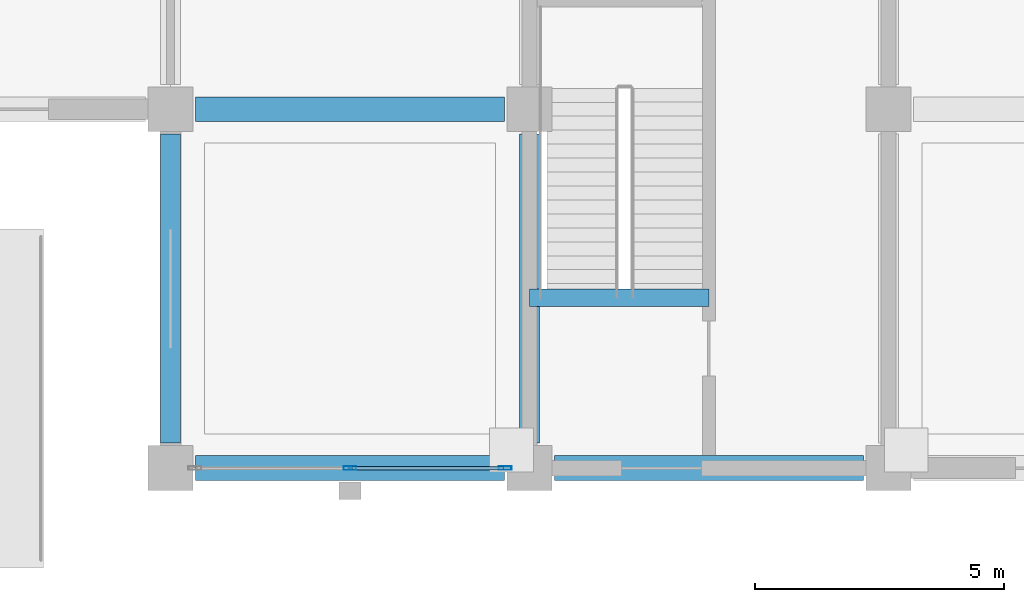
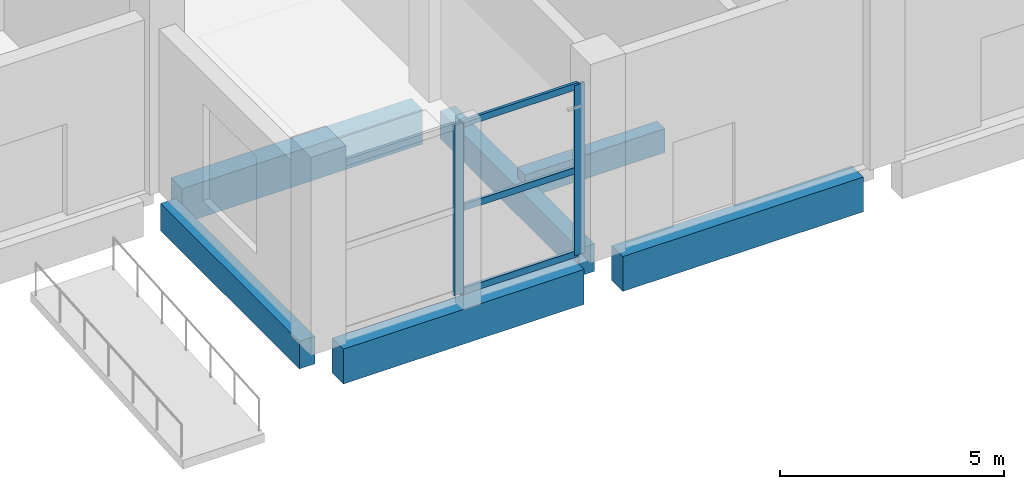
# One storey, part 13 of 70: 6 beams, 5 members, 1 element without a shape of its own.
"""IFC4 building model written with IfcOpenShell, lengths in metres."""

from ifc_helpers import new_model, si_unit, direction, frame, origin, origin_2d, place, context, subcontext, project, spatial, rectangle, hollow_rectangle, extrude, material, material_profile, profile_set, type_object, element, aggregate, save


model = new_model("IFC4")

# Units and contexts
model_context = context("Model", 3, precision=1e-05, world=origin(), true_north=direction((0.0, 1.0)))
body_context = subcontext(model_context, "Body", "Model", "MODEL_VIEW")
ifc_project = project(units=[si_unit("LENGTHUNIT", "METRE"), si_unit("AREAUNIT", "SQUARE_METRE"), si_unit("VOLUMEUNIT", "CUBIC_METRE"), si_unit("PLANEANGLEUNIT", "RADIAN"), si_unit("MASSUNIT", "GRAM", prefix="KILO")], contexts=[model_context])

# Site, building, storey
site_placement = place(None, origin())
site = spatial("IfcSite", under=ifc_project, at=site_placement, CompositionType="ELEMENT")
building_placement = place(site_placement, origin())
building = spatial("IfcBuilding", under=site, at=building_placement, Name="Vesperath Aquatics Centre", CompositionType="ELEMENT")
storey_placement = place(building_placement, origin())
storey = spatial("IfcBuildingStorey", under=building, at=storey_placement, Name="L00", CompositionType="ELEMENT", Elevation=0.0)

# Beams
ifc_material_1 = material(Name="Concrete C40", Category="concrete")
ifc_material_profile_1 = material_profile(ifc_material_1, rectangle(XDim=0.5, YDim=0.949951171875, at=origin_2d()), Name="RC 500x950")
ifc_profile_set_1 = profile_set([ifc_material_profile_1], Name="Concrete C40")
beam_type_1 = type_object("IfcBeamType", Name="BM-G02", PredefinedType="BEAM", material=ifc_profile_set_1)
for number, where, z_axis, x_axis, name in (
    (1, (115.699951171875, 0.0, -0.7548828125), (1.0, 0.0, 0.0), (0.0, 1.0, 0.0), "Floor Girder B02 L00 A 17-18"),
    (2, (115.699951171875, 7.199951171875, -0.7548828125), (1.0, 0.0, 0.0), (0.0, 1.0, 0.0), "Floor Girder B02 L00 B 17-18"),
):
    element("IfcBeam", number, at=place(storey_placement, frame(where, z_axis=z_axis, x_axis=x_axis)), inside=storey, type_object=beam_type_1, Name=name, PredefinedType="BEAM", context=body_context, shape_type="SweptSolid", body=[
        extrude(rectangle(XDim=0.5, YDim=0.949951171875, at=origin_2d()), origin(), (0.0, 0.0, 1.0), 6.199951171875),
    ])
beam_1_placement = place(storey_placement, frame((122.89990234375, 0.0, -0.7548828125), z_axis=(1.0, 0.0, 0.0), x_axis=(0.0, 1.0, 0.0)))
element("IfcBeam", 3, at=beam_1_placement, inside=storey, type_object=beam_type_1, Name="Floor Girder B02 L00 A 18-19", PredefinedType="BEAM", context=body_context, shape_type="SweptSolid", body=[
    extrude(rectangle(XDim=0.5, YDim=0.949951171875, at=origin_2d()), origin(), (0.0, 0.0, 1.0), 6.2001953125),
])
ifc_material_2 = material(Name="Concrete C35", Category="concrete")
ifc_material_profile_2 = material_profile(ifc_material_2, rectangle(XDim=0.39990234375, YDim=0.75, at=origin_2d()), Name="RC 400x750")
ifc_profile_set_2 = profile_set([ifc_material_profile_2], Name="Concrete C35")
beam_type_2 = type_object("IfcBeamType", Name="BM-G04", PredefinedType="BEAM", material=ifc_profile_set_2)
for number, where, z_axis, x_axis, name in (
    (4, (115.199951171875, 0.5, -0.655029296875), (0.0, 1.0, 0.0), (-1.0, 0.0, 0.0), "Floor Girder B04 L00 17 A-B"),
    (5, (122.39990234375, 0.5, -0.655029296875), (0.0, 1.0, 0.0), (-1.0, 0.0, 0.0), "Floor Girder B04 L00 18 A-B"),
):
    element("IfcBeam", number, at=place(storey_placement, frame(where, z_axis=z_axis, x_axis=x_axis)), inside=storey, type_object=beam_type_2, Name=name, PredefinedType="BEAM", context=body_context, shape_type="SweptSolid", body=[
        extrude(rectangle(XDim=0.39990234375, YDim=0.75, at=origin_2d()), origin(), (0.0, 0.0, 1.0), 6.199951171875),
    ])
ifc_material_profile_3 = material_profile(ifc_material_2, rectangle(XDim=0.35009765625, YDim=0.64990234375, at=origin_2d()), Name="RC 350x650")
ifc_profile_set_3 = profile_set([ifc_material_profile_3], Name="Concrete C35")
beam_type_3 = type_object("IfcBeamType", Name="BM-G05", PredefinedType="BEAM", material=ifc_profile_set_3)
beam_2_placement = place(storey_placement, frame((122.39990234375, 3.419921875, -0.324951171875), z_axis=(1.0, 0.0, 0.0), x_axis=(0.0, 1.0, 0.0)))
element("IfcBeam", 6, at=beam_2_placement, inside=storey, type_object=beam_type_3, Name="Stair ST5 Landing Trimmer Beam B05 L00", PredefinedType="BEAM", context=body_context, shape_type="SweptSolid", body=[
    extrude(rectangle(XDim=0.35009765625, YDim=0.64990234375, at=origin_2d()), origin(), (0.0, 0.0, 1.0), 3.60009765625),
])

# Curtain wall, members
ifc_material_3 = material(Name="Thermally broken anodised bronze aluminium curtain wall", Category="aluminium")
curtain_wall_type = type_object("IfcCurtainWallType", Name="CW-01", PredefinedType="NOTDEFINED", material=ifc_material_3)
curtain_wall_placement = place(storey_placement, origin())
curtain_wall = element("IfcCurtainWall", 7, at=curtain_wall_placement, inside=storey, type_object=curtain_wall_type, Name="Facade Curtain Wall CW01 L00_S_16_00", PredefinedType="NOTDEFINED")
ifc_material_4 = material(Name="Thermally broken anodised aluminium", Category="aluminium")
ifc_material_profile_4 = material_profile(ifc_material_4, hollow_rectangle(XDim=0.074951171875, YDim=0.260009765625, WallThickness=0.006103515625, at=origin_2d()), Name="CWM 75x260x6")
ifc_profile_set_4 = profile_set([ifc_material_profile_4], Name="Thermally broken anodised aluminium")
member_type_1 = type_object("IfcMemberType", Name="MB-CWM1", PredefinedType="MULLION", material=ifc_profile_set_4)
member_1_placement = place(storey_placement, frame((118.800048828125, 0.0, 0.0), z_axis=(0.0, 0.0, 1.0), x_axis=(0.0, 1.0, 0.0)))
member_1 = element("IfcMember", 8, at=member_1_placement, type_object=member_type_1, Name="CW01 mullion 2", PredefinedType="MULLION", context=body_context, shape_type="SweptSolid", body=[
    extrude(hollow_rectangle(XDim=0.074951171875, YDim=0.260009765625, WallThickness=0.006103515625, at=origin_2d()), origin(), (0.0, 0.0, 1.0), 4.639892578125),
])
member_2_placement = place(storey_placement, frame((121.91259765625, 0.0, 0.0), z_axis=(0.0, 0.0, 1.0), x_axis=(0.0, 1.0, 0.0)))
member_2 = element("IfcMember", 9, at=member_2_placement, type_object=member_type_1, Name="CW01 mullion 3", PredefinedType="MULLION", context=body_context, shape_type="SweptSolid", body=[
    extrude(hollow_rectangle(XDim=0.074951171875, YDim=0.260009765625, WallThickness=0.006103515625, at=origin_2d()), origin(), (0.0, 0.0, 1.0), 4.639892578125),
])
ifc_material_profile_5 = material_profile(ifc_material_4, hollow_rectangle(XDim=0.074951171875, YDim=0.179931640625, WallThickness=0.0048828125, at=origin_2d()), Name="CWT 75x180x5")
ifc_profile_set_5 = profile_set([ifc_material_profile_5], Name="Thermally broken anodised aluminium")
member_type_2 = type_object("IfcMemberType", Name="MB-CWT1", PredefinedType="USERDEFINED", material=ifc_profile_set_5)
member_3_placement = place(storey_placement, frame((118.83740234375, 0.0, 0.03759765625), z_axis=(1.0, 0.0, 0.0), x_axis=(0.0, 1.0, 0.0)))
member_3 = element("IfcMember", 10, at=member_3_placement, type_object=member_type_2, Name="CW01 transom 2.1", ObjectType="TRANSOM", PredefinedType="USERDEFINED", context=body_context, shape_type="SweptSolid", body=[
    extrude(hollow_rectangle(XDim=0.074951171875, YDim=0.179931640625, WallThickness=0.0048828125, at=origin_2d()), origin(), (0.0, 0.0, 1.0), 3.03759765625),
])
member_4_placement = place(storey_placement, frame((118.83740234375, 0.0, 2.320068359375), z_axis=(1.0, 0.0, 0.0), x_axis=(0.0, 1.0, 0.0)))
member_4 = element("IfcMember", 11, at=member_4_placement, type_object=member_type_2, Name="CW01 transom 2.2", ObjectType="TRANSOM", PredefinedType="USERDEFINED", context=body_context, shape_type="SweptSolid", body=[
    extrude(hollow_rectangle(XDim=0.074951171875, YDim=0.179931640625, WallThickness=0.0048828125, at=origin_2d()), origin(), (0.0, 0.0, 1.0), 3.03759765625),
])
member_5_placement = place(storey_placement, frame((118.83740234375, 0.0, 4.6025390625), z_axis=(1.0, 0.0, 0.0), x_axis=(0.0, 1.0, 0.0)))
member_5 = element("IfcMember", 12, at=member_5_placement, type_object=member_type_2, Name="CW01 transom 2.3", ObjectType="TRANSOM", PredefinedType="USERDEFINED", context=body_context, shape_type="SweptSolid", body=[
    extrude(hollow_rectangle(XDim=0.074951171875, YDim=0.179931640625, WallThickness=0.0048828125, at=origin_2d()), origin(), (0.0, 0.0, 1.0), 3.03759765625),
])
aggregate(curtain_wall, [member_1, member_2, member_3, member_4, member_5])

save(model, "model.ifc")
